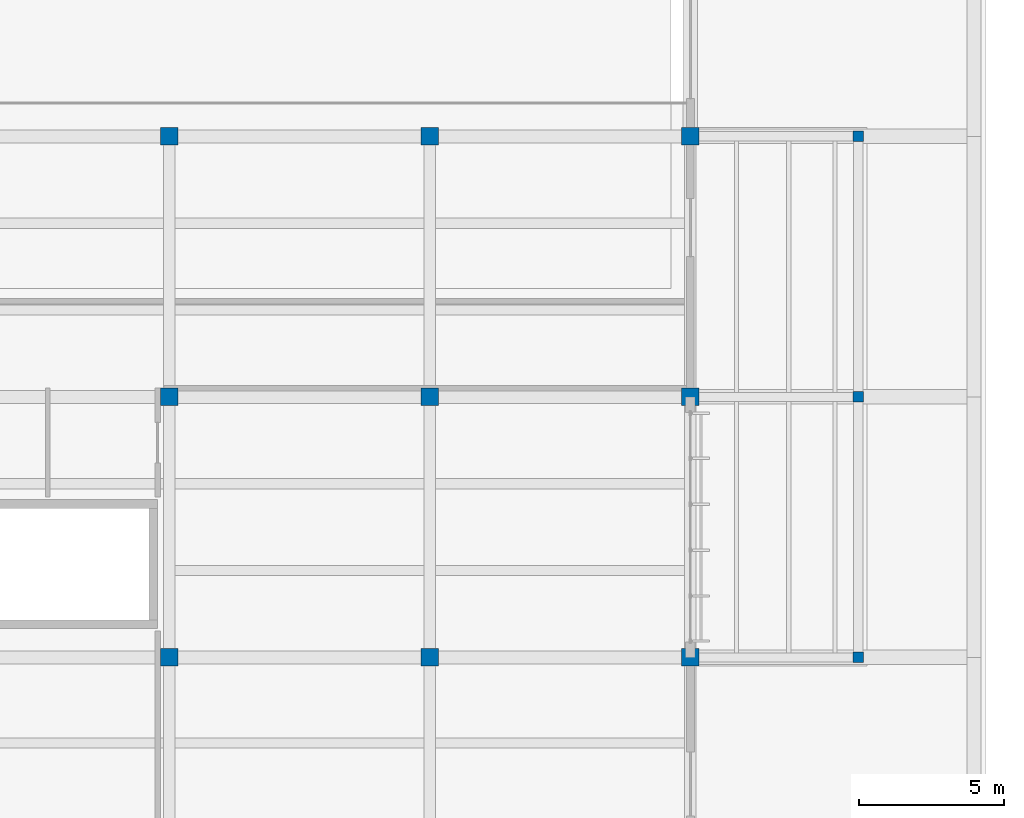
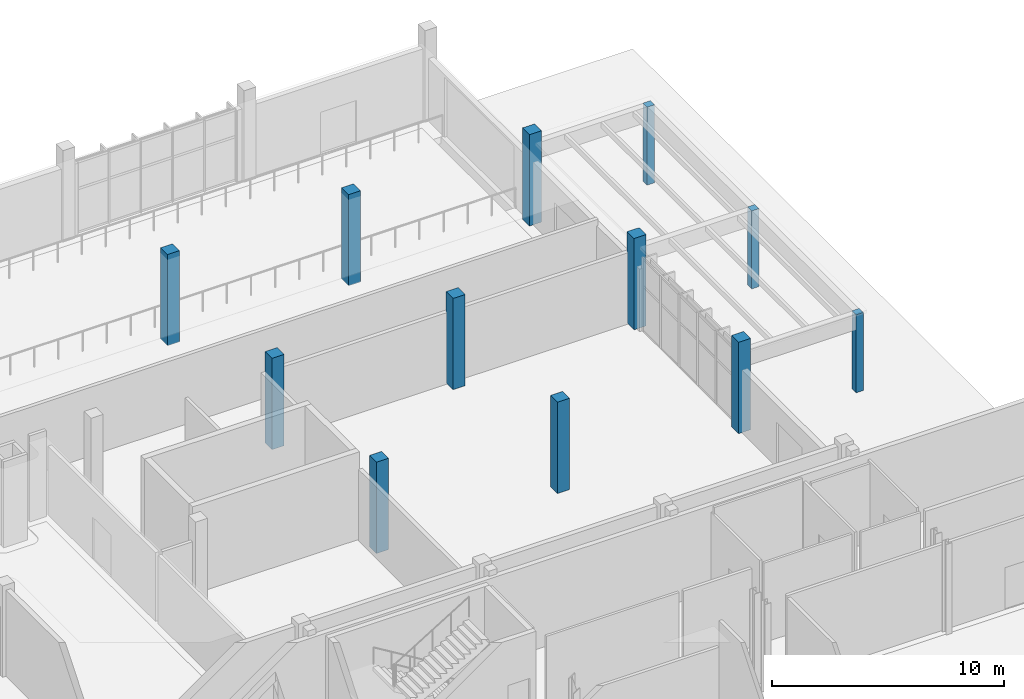
# One storey, part 11 of 151: 12 columns.
"""IFC4 building model written with IfcOpenShell, lengths in metres."""

from ifc_helpers import new_model, si_unit, direction, frame, origin, origin_2d, place, context, subcontext, project, spatial, rectangle, extrude, material, material_profile, profile_set, type_object, element, save


model = new_model("IFC4")

# Units and contexts
model_context = context("Model", 3, precision=1e-05, world=origin(), true_north=direction((0.0, 1.0)))
body_context = subcontext(model_context, "Body", "Model", "MODEL_VIEW")
ifc_project = project(units=[si_unit("LENGTHUNIT", "METRE"), si_unit("AREAUNIT", "SQUARE_METRE"), si_unit("VOLUMEUNIT", "CUBIC_METRE"), si_unit("PLANEANGLEUNIT", "RADIAN"), si_unit("MASSUNIT", "GRAM", prefix="KILO")], contexts=[model_context])

# Site, building, storey
site_placement = place(None, origin())
site = spatial("IfcSite", under=ifc_project, at=site_placement, CompositionType="ELEMENT")
building_placement = place(site_placement, origin())
building = spatial("IfcBuilding", under=site, at=building_placement, Name="Chiffa Square Polytechnic", CompositionType="ELEMENT")
storey_placement = place(building_placement, origin())
storey = spatial("IfcBuildingStorey", under=building, at=storey_placement, Name="L00", CompositionType="ELEMENT", Elevation=0.0)

# Columns
ifc_material_1 = material(Name="Glulam GL32c", Category="wood")
ifc_material_profile_1 = material_profile(ifc_material_1, rectangle(XDim=0.360107421875, YDim=0.360107421875, at=origin_2d()), Name="GL32c 360x360")
ifc_profile_set_1 = profile_set([ifc_material_profile_1], Name="Glulam GL32c")
column_type_1 = type_object("IfcColumnType", Name="COL-GL-360", PredefinedType="COLUMN", material=ifc_profile_set_1)
for number, where, z_axis, x_axis, name in (
    (1, (154.0, 103.800048828125, 0.0), (0.0, 0.0, 1.0), (1.0, 0.0, 0.0), "NE entrance canopy glulam column COL-NEC-L00-01"),
    (2, (154.0, 112.800048828125, 0.0), (0.0, 0.0, 1.0), (1.0, 0.0, 0.0), "NE entrance canopy glulam column COL-NEC-L00-02"),
    (3, (154.0, 121.800048828125, 0.0), (0.0, 0.0, 1.0), (1.0, 0.0, 0.0), "NE entrance canopy glulam column COL-NEC-L00-03"),
):
    element("IfcColumn", number, at=place(storey_placement, frame(where, z_axis=z_axis, x_axis=x_axis)), inside=storey, type_object=column_type_1, Name=name, PredefinedType="COLUMN", context=body_context, shape_type="SweptSolid", body=[
        extrude(rectangle(XDim=0.360107421875, YDim=0.360107421875, at=origin_2d()), origin(), (0.0, 0.0, 1.0), 4.10009765625),
    ])
ifc_material_2 = material(Name="Concrete C40/50", Category="concrete")
ifc_material_profile_2 = material_profile(ifc_material_2, rectangle(XDim=0.60009765625, YDim=0.60009765625, at=origin_2d()), Name="RC 600x600")
ifc_profile_set_2 = profile_set([ifc_material_profile_2], Name="Concrete C40/50")
column_type_2 = type_object("IfcColumnType", Name="COL-RC-600", PredefinedType="COLUMN", material=ifc_profile_set_2)
for number, where, z_axis, x_axis, name in (
    (4, (130.199951171875, 103.800048828125, 0.0), (0.0, 0.0, 1.0), (1.0, 0.0, 0.0), "Column C-V5-L00-1302-1038"),
    (5, (130.199951171875, 112.800048828125, 0.0), (0.0, 0.0, 1.0), (1.0, 0.0, 0.0), "Column C-V5-L00-1302-1128"),
    (6, (130.199951171875, 121.800048828125, 0.0), (0.0, 0.0, 1.0), (1.0, 0.0, 0.0), "Column C-V5-L00-1302-1218"),
    (7, (139.199951171875, 103.800048828125, 0.0), (0.0, 0.0, 1.0), (1.0, 0.0, 0.0), "Column C-V5-L00-1392-1038"),
    (8, (139.199951171875, 112.800048828125, 0.0), (0.0, 0.0, 1.0), (1.0, 0.0, 0.0), "Column C-V5-L00-1392-1128"),
    (9, (139.199951171875, 121.800048828125, 0.0), (0.0, 0.0, 1.0), (1.0, 0.0, 0.0), "Column C-V5-L00-1392-1218"),
    (10, (148.199951171875, 103.800048828125, 0.0), (0.0, 0.0, 1.0), (1.0, 0.0, 0.0), "Column C-V5-L00-1482-1038"),
    (11, (148.199951171875, 112.800048828125, 0.0), (0.0, 0.0, 1.0), (1.0, 0.0, 0.0), "Column C-V5-L00-1482-1128"),
    (12, (148.199951171875, 121.800048828125, 0.0), (0.0, 0.0, 1.0), (1.0, 0.0, 0.0), "Column C-V5-L00-1482-1218"),
):
    element("IfcColumn", number, at=place(storey_placement, frame(where, z_axis=z_axis, x_axis=x_axis)), inside=storey, type_object=column_type_2, Name=name, PredefinedType="COLUMN", context=body_context, shape_type="SweptSolid", body=[
        extrude(rectangle(XDim=0.60009765625, YDim=0.60009765625, at=origin_2d()), origin(), (0.0, 0.0, 1.0), 4.800048828125),
    ])

save(model, "model.ifc")
